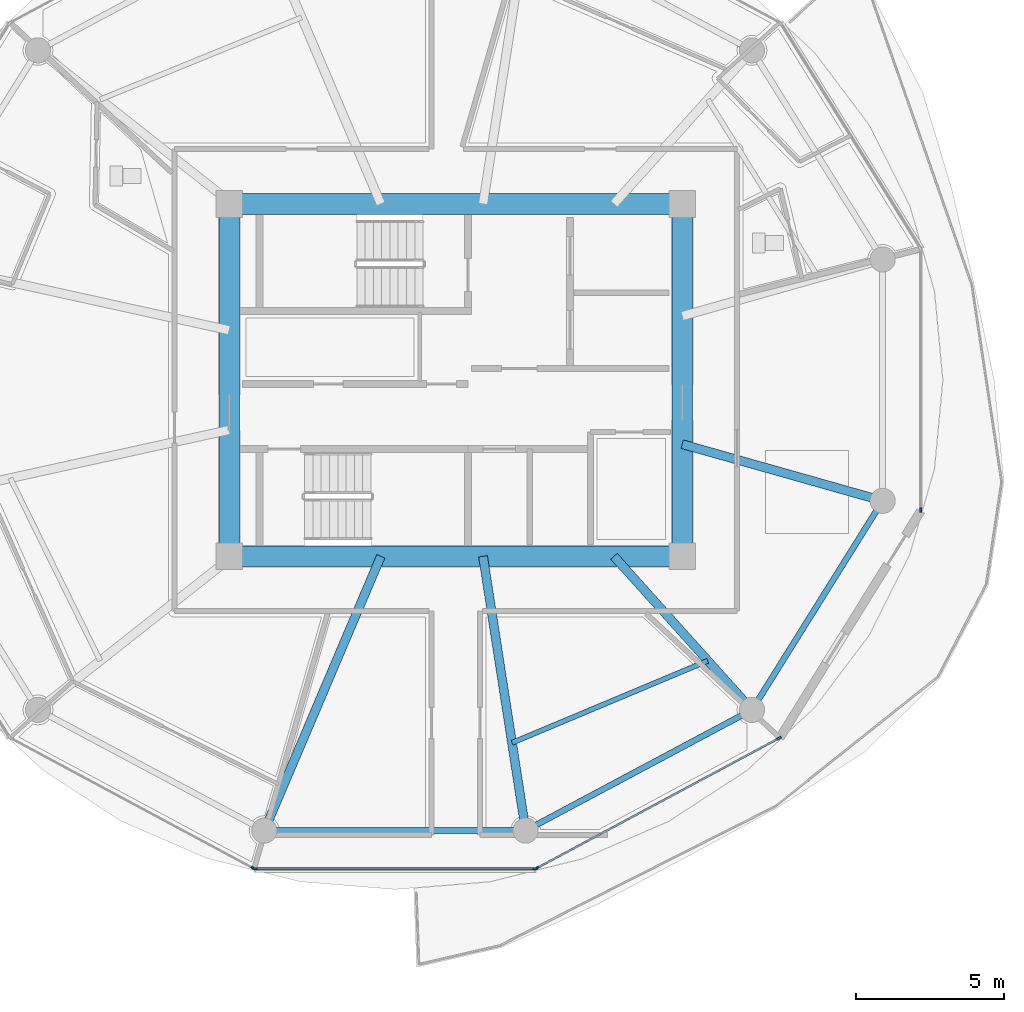
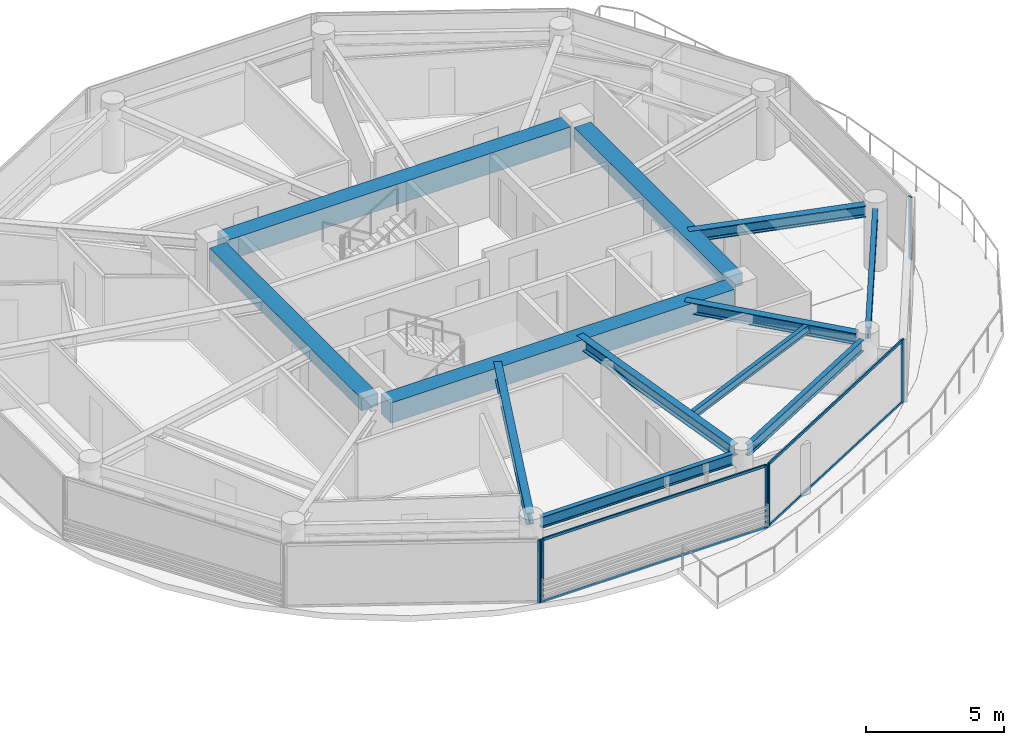
# One storey, part 10 of 25: 12 beams, 10 members, 4 elements without a shape of their own.
"""IFC4 building model written with IfcOpenShell, lengths in metres."""

from ifc_helpers import new_model, si_unit, direction, frame, origin, origin_2d, place, context, subcontext, project, spatial, rectangle, i_section, extrude, source, transform, mapped, material, layer, layer_set, material_profile, profile_set, type_object, type_shapes, element, aggregate, save


model = new_model("IFC4")

# Units and contexts
model_context = context("Model", 3, precision=1e-05, world=origin(), true_north=direction((0.0, 1.0)))
body_context = subcontext(model_context, "Body", "Model", "MODEL_VIEW")
ifc_project = project(units=[si_unit("LENGTHUNIT", "METRE"), si_unit("AREAUNIT", "SQUARE_METRE"), si_unit("VOLUMEUNIT", "CUBIC_METRE"), si_unit("PLANEANGLEUNIT", "RADIAN"), si_unit("MASSUNIT", "GRAM", prefix="KILO")], contexts=[model_context])

# Site, building, storey
site_placement = place(None, origin())
site = spatial("IfcSite", under=ifc_project, at=site_placement, CompositionType="ELEMENT")
building_placement = place(site_placement, origin())
building = spatial("IfcBuilding", under=site, at=building_placement, Name="Norrkilde Senior Care Towers", CompositionType="ELEMENT")
storey_placement = place(building_placement, frame((0.0, 0.0, 99.300048828125)))
storey = spatial("IfcBuildingStorey", under=building, at=storey_placement, Name="L30", CompositionType="ELEMENT", Elevation=99.300048828125)

# Beams
ifc_material_1 = material(Name="Concrete C60/75", Category="concrete")
ifc_material_profile_1 = material_profile(ifc_material_1, rectangle(XDim=0.699951171875, YDim=0.89990234375, at=origin_2d()), Name="RC BM 700x900")
ifc_profile_set_1 = profile_set([ifc_material_profile_1], Name="Concrete C60/75")
beam_type_1 = type_object("IfcBeamType", Name="Core Coupling Girder 700x900", PredefinedType="USERDEFINED", material=ifc_profile_set_1)
shared_shape_1 = source(origin(), body_context, "Body", "SweptSolid", [
    extrude(rectangle(XDim=0.699951171875, YDim=0.89990234375, at=origin_2d()), origin(), (0.0, 0.0, 1.0), 14.43994140625),
])
type_shapes(beam_type_1, [shared_shape_1])
for number, where, z_axis, x_axis, name in (
    (1, (20.780029296875, 5.949951171875, 2.33984375), (1.0, 0.0, 0.0), (0.0, 1.0, 0.0), "L30 Core E N Coupling Girder"),
    (2, (20.780029296875, -5.949951171875, 2.33984375), (1.0, 0.0, 0.0), (0.0, 1.0, 0.0), "L30 Core E S Coupling Girder"),
):
    element("IfcBeam", number, at=place(storey_placement, frame(where, z_axis=z_axis, x_axis=x_axis)), inside=storey, type_object=beam_type_1, Name=name, ObjectType="GIRDER", PredefinedType="USERDEFINED", context=body_context, shape_type="MappedRepresentation", body=[
        mapped(shared_shape_1, transform((0.0, 0.0, 0.0), x_axis=(1.0, 0.0, 0.0), y_axis=(0.0, 1.0, 0.0), z_axis=(0.0, 0.0, 1.0), scale=1.0)),
    ])
ifc_material_profile_2 = material_profile(ifc_material_1, rectangle(XDim=0.699951171875, YDim=0.550048828125, at=origin_2d()), Name="RC BM 700x550")
ifc_profile_set_2 = profile_set([ifc_material_profile_2], Name="Concrete C60/75")
beam_type_2 = type_object("IfcBeamType", Name="Core Portal Coupling Beam 700x550", PredefinedType="USERDEFINED", material=ifc_profile_set_2)
shared_shape_2 = source(origin(), body_context, "Body", "SweptSolid", [
    extrude(rectangle(XDim=0.699951171875, YDim=0.550048828125, at=origin_2d()), origin(), (0.0, 0.0, 1.0), 11.0400390625),
])
type_shapes(beam_type_2, [shared_shape_2])
for number, where, z_axis, x_axis, name in (
    (3, (20.35009765625, -5.52001953125, 2.514892578125), (0.0, 1.0, 0.0), (-1.0, 0.0, 0.0), "L30 Core E W Coupling Girder"),
    (4, (35.64990234375, -5.52001953125, 2.514892578125), (0.0, 1.0, 0.0), (-1.0, 0.0, 0.0), "L30 Core E E Coupling Girder"),
):
    element("IfcBeam", number, at=place(storey_placement, frame(where, z_axis=z_axis, x_axis=x_axis)), inside=storey, type_object=beam_type_2, Name=name, ObjectType="GIRDER", PredefinedType="USERDEFINED", context=body_context, shape_type="MappedRepresentation", body=[
        mapped(shared_shape_2, transform((0.0, 0.0, 0.0), x_axis=(1.0, 0.0, 0.0), y_axis=(0.0, 1.0, 0.0), z_axis=(0.0, 0.0, 1.0), scale=1.0)),
    ])
ifc_material_2 = material(Name="Steel S355", Category="steel")
ifc_material_profile_3 = material_profile(ifc_material_2, i_section(OverallWidth=0.199951171875, OverallDepth=0.5, WebThickness=0.01025390625, FlangeThickness=0.01611328125, FilletRadius=0.02099609375, at=origin_2d()), Name="IPE 500")
ifc_profile_set_3 = profile_set([ifc_material_profile_3], Name="Steel S355")
beam_type_3 = type_object("IfcBeamType", Name="Perimeter Ring Spandrel Z2 IPE500", PredefinedType="SPANDREL", material=ifc_profile_set_3)
shared_shape_3 = source(origin(), body_context, "Body", "SweptSolid", [
    extrude(i_section(OverallWidth=0.199951171875, OverallDepth=0.5, WebThickness=0.01025390625, FlangeThickness=0.01611328125, FilletRadius=0.02099609375, at=origin_2d()), origin(), (0.0, 0.0, 1.0), 7.892333984375),
])
beam_1_placement = place(storey_placement, frame((30.70263671875, -15.0322265625, 2.5400390625), z_axis=(0.882350372282, 0.47059305194, 0.0), x_axis=(-0.47059305194, 0.882350372282, 0.0)))
element("IfcBeam", 5, at=beam_1_placement, inside=storey, type_object=beam_type_3, Name="L30 Drum E Perimeter Spandrel 10", PredefinedType="SPANDREL", context=body_context, shape_type="MappedRepresentation", body=[
    mapped(shared_shape_3, transform((0.0, 0.0, 0.0), x_axis=(1.0, 0.0, 0.0), y_axis=(0.0, 1.0, 0.0), z_axis=(0.0, 0.0, 1.0), scale=1.0)),
])
shared_shape_4 = source(origin(), body_context, "Body", "SweptSolid", [
    extrude(i_section(OverallWidth=0.199951171875, OverallDepth=0.5, WebThickness=0.01025390625, FlangeThickness=0.01611328125, FilletRadius=0.02099609375, at=origin_2d()), origin(), (0.0, 0.0, 1.0), 8.0556640625),
])
beam_2_placement = place(storey_placement, frame((21.922119140625, -15.21337890625, 2.5400390625), z_axis=(1.0, 0.0, 0.0), x_axis=(0.0, 1.0, 0.0)))
element("IfcBeam", 6, at=beam_2_placement, inside=storey, type_object=beam_type_3, Name="L30 Drum E Perimeter Spandrel 09", PredefinedType="SPANDREL", context=body_context, shape_type="MappedRepresentation", body=[
    mapped(shared_shape_4, transform((0.0, 0.0, 0.0), x_axis=(1.0, 0.0, 0.0), y_axis=(0.0, 1.0, 0.0), z_axis=(0.0, 0.0, 1.0), scale=1.0)),
])
ifc_material_profile_4 = material_profile(ifc_material_2, i_section(OverallWidth=0.300048828125, OverallDepth=0.5, WebThickness=0.014404296875, FlangeThickness=0.028076171875, FilletRadius=0.027099609375, at=origin_2d()), Name="HEB 500")
ifc_profile_set_4 = profile_set([ifc_material_profile_4], Name="Steel S355")
beam_type_4 = type_object("IfcBeamType", Name="Radial Floor Beam Z2 HEB500", PredefinedType="BEAM", material=ifc_profile_set_4)
shared_shape_5 = source(origin(), body_context, "Body", "SweptSolid", [
    extrude(i_section(OverallWidth=0.300048828125, OverallDepth=0.5, WebThickness=0.014404296875, FlangeThickness=0.028076171875, FilletRadius=0.027099609375, at=origin_2d()), origin(), (0.0, 0.0, 1.0), 9.679443359375),
])
beam_3_placement = place(storey_placement, frame((25.472412109375, -5.949951171875, 2.5400390625), z_axis=(-0.390998033479, -0.920391513333, 0.0), x_axis=(0.920391513333, -0.390998033479, 0.0)))
element("IfcBeam", 7, at=beam_3_placement, inside=storey, type_object=beam_type_4, Name="L30 Drum E Radial Floor Beam 09", PredefinedType="BEAM", context=body_context, shape_type="MappedRepresentation", body=[
    mapped(shared_shape_5, transform((0.0, 0.0, 0.0), x_axis=(1.0, 0.0, 0.0), y_axis=(0.0, 1.0, 0.0), z_axis=(0.0, 0.0, 1.0), scale=1.0)),
])
shared_shape_6 = source(origin(), body_context, "Body", "SweptSolid", [
    extrude(i_section(OverallWidth=0.300048828125, OverallDepth=0.5, WebThickness=0.014404296875, FlangeThickness=0.028076171875, FilletRadius=0.027099609375, at=origin_2d()), origin(), (0.0, 0.0, 1.0), 8.989501953125),
])
beam_4_placement = place(storey_placement, frame((28.924072265625, -5.949951171875, 2.5400390625), z_axis=(0.153471298636, -0.988153105796, 0.0), x_axis=(0.988153105796, 0.153471298636, 0.0)))
element("IfcBeam", 8, at=beam_4_placement, inside=storey, type_object=beam_type_4, Name="L30 Drum E Radial Floor Beam 10", PredefinedType="BEAM", context=body_context, shape_type="MappedRepresentation", body=[
    mapped(shared_shape_6, transform((0.0, 0.0, 0.0), x_axis=(1.0, 0.0, 0.0), y_axis=(0.0, 1.0, 0.0), z_axis=(0.0, 0.0, 1.0), scale=1.0)),
])
shared_shape_7 = source(origin(), body_context, "Body", "SweptSolid", [
    extrude(i_section(OverallWidth=0.199951171875, OverallDepth=0.5, WebThickness=0.01025390625, FlangeThickness=0.01611328125, FilletRadius=0.02099609375, at=origin_2d()), origin(), (0.0, 0.0, 1.0), 7.556396484375),
])
type_shapes(beam_type_3, [shared_shape_3, shared_shape_4, shared_shape_7])
beam_5_placement = place(storey_placement, frame((38.210205078125, -10.810546875, 2.5400390625), z_axis=(0.530004748437, 0.847994673706, 0.0), x_axis=(-0.847994673706, 0.530004748437, 0.0)))
element("IfcBeam", 9, at=beam_5_placement, inside=storey, type_object=beam_type_3, Name="L30 Drum E Perimeter Spandrel 11", PredefinedType="SPANDREL", context=body_context, shape_type="MappedRepresentation", body=[
    mapped(shared_shape_7, transform((0.0, 0.0, 0.0), x_axis=(1.0, 0.0, 0.0), y_axis=(0.0, 1.0, 0.0), z_axis=(0.0, 0.0, 1.0), scale=1.0)),
])
shared_shape_8 = source(origin(), body_context, "Body", "SweptSolid", [
    extrude(i_section(OverallWidth=0.300048828125, OverallDepth=0.5, WebThickness=0.014404296875, FlangeThickness=0.028076171875, FilletRadius=0.027099609375, at=origin_2d()), origin(), (0.0, 0.0, 1.0), 6.587890625),
])
beam_6_placement = place(storey_placement, frame((33.345947265625, -5.949951171875, 2.5400390625), z_axis=(0.668315438605, -0.743877997068, 0.0), x_axis=(0.743877997068, 0.668315438605, 0.0)))
element("IfcBeam", 10, at=beam_6_placement, inside=storey, type_object=beam_type_4, Name="L30 Drum E Radial Floor Beam 11", PredefinedType="BEAM", context=body_context, shape_type="MappedRepresentation", body=[
    mapped(shared_shape_8, transform((0.0, 0.0, 0.0), x_axis=(1.0, 0.0, 0.0), y_axis=(0.0, 1.0, 0.0), z_axis=(0.0, 0.0, 1.0), scale=1.0)),
])
shared_shape_9 = source(origin(), body_context, "Body", "SweptSolid", [
    extrude(i_section(OverallWidth=0.300048828125, OverallDepth=0.5, WebThickness=0.014404296875, FlangeThickness=0.028076171875, FilletRadius=0.027099609375, at=origin_2d()), origin(), (0.0, 0.0, 1.0), 6.6494140625),
])
type_shapes(beam_type_4, [shared_shape_5, shared_shape_6, shared_shape_8, shared_shape_9])
beam_7_placement = place(storey_placement, frame((35.64990234375, -2.162841796875, 2.5400390625), z_axis=(0.962289138357, -0.27202870106, 0.0), x_axis=(0.27202870106, 0.962289138357, 0.0)))
element("IfcBeam", 11, at=beam_7_placement, inside=storey, type_object=beam_type_4, Name="L30 Drum E Radial Floor Beam 12", PredefinedType="BEAM", context=body_context, shape_type="MappedRepresentation", body=[
    mapped(shared_shape_9, transform((0.0, 0.0, 0.0), x_axis=(1.0, 0.0, 0.0), y_axis=(0.0, 1.0, 0.0), z_axis=(0.0, 0.0, 1.0), scale=1.0)),
])
ifc_material_profile_5 = material_profile(ifc_material_2, i_section(OverallWidth=0.169921875, OverallDepth=0.360107421875, WebThickness=0.008056640625, FlangeThickness=0.0126953125, FilletRadius=0.01806640625, at=origin_2d()), Name="IPE 360")
ifc_profile_set_5 = profile_set([ifc_material_profile_5], Name="Steel S355")
beam_type_5 = type_object("IfcBeamType", Name="Secondary Floor Joist IPE360", PredefinedType="JOIST", material=ifc_profile_set_5)
shared_shape_10 = source(origin(), body_context, "Body", "SweptSolid", [
    extrude(i_section(OverallWidth=0.169921875, OverallDepth=0.360107421875, WebThickness=0.008056640625, FlangeThickness=0.0126953125, FilletRadius=0.01806640625, at=origin_2d()), origin(), (0.0, 0.0, 1.0), 7.169921875),
])
type_shapes(beam_type_5, [shared_shape_10])
beam_8_placement = place(storey_placement, frame((29.902587890625, -12.2490234375, 2.60986328125), z_axis=(0.922240600393, 0.386616444279, 0.0), x_axis=(-0.386616444279, 0.922240600393, 0.0)))
element("IfcBeam", 12, at=beam_8_placement, inside=storey, type_object=beam_type_5, Name="L30 Drum E Secondary Floor Joist 4", PredefinedType="JOIST", context=body_context, shape_type="MappedRepresentation", body=[
    mapped(shared_shape_10, transform((0.0, 0.0, 0.0), x_axis=(1.0, 0.0, 0.0), y_axis=(0.0, 1.0, 0.0), z_axis=(0.0, 0.0, 1.0), scale=1.0)),
])

# Curtain wall, member
ifc_material_3 = material(Name="Triple Low-E Insulated Glazing", Category="glass")
ifc_layer = layer(ifc_material_3, 0.195068359375)
ifc_layer_set = layer_set([ifc_layer], Name="Triple Low-E Insulated Glazing")
curtain_wall_type = type_object("IfcCurtainWallType", Name="CW3 Zone 2 Assisted Living Curtain Wall", PredefinedType="NOTDEFINED", material=ifc_layer_set)
curtain_wall_1_placement = place(storey_placement, origin())
curtain_wall_1 = element("IfcCurtainWall", 13, at=curtain_wall_1_placement, inside=storey, type_object=curtain_wall_type, Name="L30 Drum E Curtain Wall 07", PredefinedType="NOTDEFINED")
ifc_material_4 = material(Name="Anodised Aluminium", Category="aluminium")
ifc_material_profile_6 = material_profile(ifc_material_4, rectangle(XDim=0.06494140625, YDim=0.159912109375, at=origin_2d()), Name="ALU MULL 65x160")
ifc_profile_set_6 = profile_set([ifc_material_profile_6], Name="Anodised Aluminium")
member_type_1 = type_object("IfcMemberType", Name="Curtain Wall Mullion Z1-Z2 65x160", PredefinedType="MULLION", material=ifc_profile_set_6)
shared_shape_11 = source(origin(), body_context, "Body", "SweptSolid", [
    extrude(rectangle(XDim=0.06494140625, YDim=0.159912109375, at=origin_2d()), origin(), (0.0, 0.0, 1.0), 2.7900390625),
])
type_shapes(member_type_1, [shared_shape_11])
member_1_placement = place(storey_placement, frame((21.164306640625, -16.482666015625, 0.0), z_axis=(0.0, 0.0, 1.0), x_axis=(-0.472769402511, -0.881186184668, 0.0)))
member_1 = element("IfcMember", 14, at=member_1_placement, type_object=member_type_1, Name="CW-3 mullion 1", PredefinedType="MULLION", context=body_context, shape_type="MappedRepresentation", body=[
    mapped(shared_shape_11, transform((0.0, 0.0, 0.0), x_axis=(1.0, 0.0, 0.0), y_axis=(0.0, 1.0, 0.0), z_axis=(0.0, 0.0, 1.0), scale=1.0)),
])
aggregate(curtain_wall_1, [member_1])

# Curtain wall, members
curtain_wall_2_placement = place(storey_placement, origin())
curtain_wall_2 = element("IfcCurtainWall", 15, at=curtain_wall_2_placement, inside=storey, type_object=curtain_wall_type, Name="L30 Drum E Curtain Wall 08", PredefinedType="NOTDEFINED")
member_2_placement = place(storey_placement, frame((30.674560546875, -16.498046875, 0.0), z_axis=(0.0, 0.0, 1.0), x_axis=(0.0, -1.0, 0.0)))
member_2 = element("IfcMember", 16, at=member_2_placement, type_object=member_type_1, Name="CW-3 mullion 1", PredefinedType="MULLION", context=body_context, shape_type="MappedRepresentation", body=[
    mapped(shared_shape_11, transform((0.0, 0.0, 0.0), x_axis=(1.0, 0.0, 0.0), y_axis=(0.0, 1.0, 0.0), z_axis=(0.0, 0.0, 1.0), scale=1.0)),
])
member_3_placement = place(storey_placement, frame((21.225341796875, -16.498046875, 0.0), z_axis=(0.0, 0.0, 1.0), x_axis=(0.0, -1.0, 0.0)))
member_3 = element("IfcMember", 17, at=member_3_placement, type_object=member_type_1, Name="CW-3 mullion 2", PredefinedType="MULLION", context=body_context, shape_type="MappedRepresentation", body=[
    mapped(shared_shape_11, transform((0.0, 0.0, 0.0), x_axis=(1.0, 0.0, 0.0), y_axis=(0.0, 1.0, 0.0), z_axis=(0.0, 0.0, 1.0), scale=1.0)),
])

curtain_wall_3_placement = place(storey_placement, origin())
curtain_wall_3 = element("IfcCurtainWall", 18, at=curtain_wall_3_placement, inside=storey, type_object=curtain_wall_type, Name="L30 Drum E Curtain Wall 09", PredefinedType="NOTDEFINED")
member_4_placement = place(storey_placement, frame((38.91796875, -12.0927734375, 0.0), z_axis=(0.0, 0.0, 1.0), x_axis=(0.472769402511, -0.881186184668, 0.0)))
member_4 = element("IfcMember", 19, at=member_4_placement, type_object=member_type_1, Name="CW-3 mullion 1", PredefinedType="MULLION", context=body_context, shape_type="MappedRepresentation", body=[
    mapped(shared_shape_11, transform((0.0, 0.0, 0.0), x_axis=(1.0, 0.0, 0.0), y_axis=(0.0, 1.0, 0.0), z_axis=(0.0, 0.0, 1.0), scale=1.0)),
])
member_5_placement = place(storey_placement, frame((30.73583984375, -16.482666015625, 0.0), z_axis=(0.0, 0.0, 1.0), x_axis=(0.472769402511, -0.881186184668, 0.0)))
member_5 = element("IfcMember", 20, at=member_5_placement, type_object=member_type_1, Name="CW-3 mullion 2", PredefinedType="MULLION", context=body_context, shape_type="MappedRepresentation", body=[
    mapped(shared_shape_11, transform((0.0, 0.0, 0.0), x_axis=(1.0, 0.0, 0.0), y_axis=(0.0, 1.0, 0.0), z_axis=(0.0, 0.0, 1.0), scale=1.0)),
])

# Curtain wall, member
curtain_wall_4_placement = place(storey_placement, origin())
curtain_wall_4 = element("IfcCurtainWall", 21, at=curtain_wall_4_placement, inside=storey, type_object=curtain_wall_type, Name="L30 Drum E Curtain Wall 11", PredefinedType="NOTDEFINED")
member_6_placement = place(storey_placement, frame((43.70361328125, -4.38818359375, 0.0), z_axis=(0.0, 0.0, 1.0), x_axis=(1.0, 0.0, 0.0)))
member_6 = element("IfcMember", 22, at=member_6_placement, type_object=member_type_1, Name="CW-3 mullion 2", PredefinedType="MULLION", context=body_context, shape_type="MappedRepresentation", body=[
    mapped(shared_shape_11, transform((0.0, 0.0, 0.0), x_axis=(1.0, 0.0, 0.0), y_axis=(0.0, 1.0, 0.0), z_axis=(0.0, 0.0, 1.0), scale=1.0)),
])
aggregate(curtain_wall_4, [member_6])

# Member
ifc_material_profile_7 = material_profile(ifc_material_4, rectangle(XDim=0.06005859375, YDim=0.1201171875, at=origin_2d()), Name="ALU TRAN 60x120")
ifc_profile_set_7 = profile_set([ifc_material_profile_7], Name="Anodised Aluminium")
member_type_2 = type_object("IfcMemberType", Name="Curtain Wall Transom Typical 60x120", PredefinedType="USERDEFINED", material=ifc_profile_set_7)
shared_shape_12 = source(origin(), body_context, "Body", "SweptSolid", [
    extrude(rectangle(XDim=0.06005859375, YDim=0.1201171875, at=origin_2d()), origin(), (0.0, 0.0, 1.0), 9.220458984375),
])
member_7_placement = place(storey_placement, frame((38.889404296875, -12.108154296875, 0.030029296875), z_axis=(-0.881188517866, -0.472765053681, 0.0), x_axis=(0.472765053681, -0.881188517866, 0.0)))
member_7 = element("IfcMember", 23, at=member_7_placement, type_object=member_type_2, Name="CW-3 transom 1.1", ObjectType="TRANSOM", PredefinedType="USERDEFINED", context=body_context, shape_type="MappedRepresentation", body=[
    mapped(shared_shape_12, transform((0.0, 0.0, 0.0), x_axis=(1.0, 0.0, 0.0), y_axis=(0.0, 1.0, 0.0), z_axis=(0.0, 0.0, 1.0), scale=1.0)),
])

member_8_placement = place(storey_placement, frame((38.889404296875, -12.108154296875, 2.760009765625), z_axis=(-0.881188517866, -0.472765053681, 0.0), x_axis=(0.472765053681, -0.881188517866, 0.0)))
member_8 = element("IfcMember", 24, at=member_8_placement, type_object=member_type_2, Name="CW-3 transom 1.2", ObjectType="TRANSOM", PredefinedType="USERDEFINED", context=body_context, shape_type="MappedRepresentation", body=[
    mapped(shared_shape_12, transform((0.0, 0.0, 0.0), x_axis=(1.0, 0.0, 0.0), y_axis=(0.0, 1.0, 0.0), z_axis=(0.0, 0.0, 1.0), scale=1.0)),
])

aggregate(curtain_wall_3, [member_4, member_5, member_7, member_8])

shared_shape_13 = source(origin(), body_context, "Body", "SweptSolid", [
    extrude(rectangle(XDim=0.06005859375, YDim=0.1201171875, at=origin_2d()), origin(), (0.0, 0.0, 1.0), 9.38427734375),
])
type_shapes(member_type_2, [shared_shape_12, shared_shape_13])
member_9_placement = place(storey_placement, frame((30.64208984375, -16.498046875, 0.030029296875), z_axis=(-1.0, 0.0, 0.0), x_axis=(0.0, -1.0, 0.0)))
member_9 = element("IfcMember", 25, at=member_9_placement, type_object=member_type_2, Name="CW-3 transom 1.1", ObjectType="TRANSOM", PredefinedType="USERDEFINED", context=body_context, shape_type="MappedRepresentation", body=[
    mapped(shared_shape_13, transform((0.0, 0.0, 0.0), x_axis=(1.0, 0.0, 0.0), y_axis=(0.0, 1.0, 0.0), z_axis=(0.0, 0.0, 1.0), scale=1.0)),
])

member_10_placement = place(storey_placement, frame((30.64208984375, -16.498046875, 2.760009765625), z_axis=(-1.0, 0.0, 0.0), x_axis=(0.0, -1.0, 0.0)))
member_10 = element("IfcMember", 26, at=member_10_placement, type_object=member_type_2, Name="CW-3 transom 1.2", ObjectType="TRANSOM", PredefinedType="USERDEFINED", context=body_context, shape_type="MappedRepresentation", body=[
    mapped(shared_shape_13, transform((0.0, 0.0, 0.0), x_axis=(1.0, 0.0, 0.0), y_axis=(0.0, 1.0, 0.0), z_axis=(0.0, 0.0, 1.0), scale=1.0)),
])

aggregate(curtain_wall_2, [member_2, member_3, member_9, member_10])

save(model, "model.ifc")
